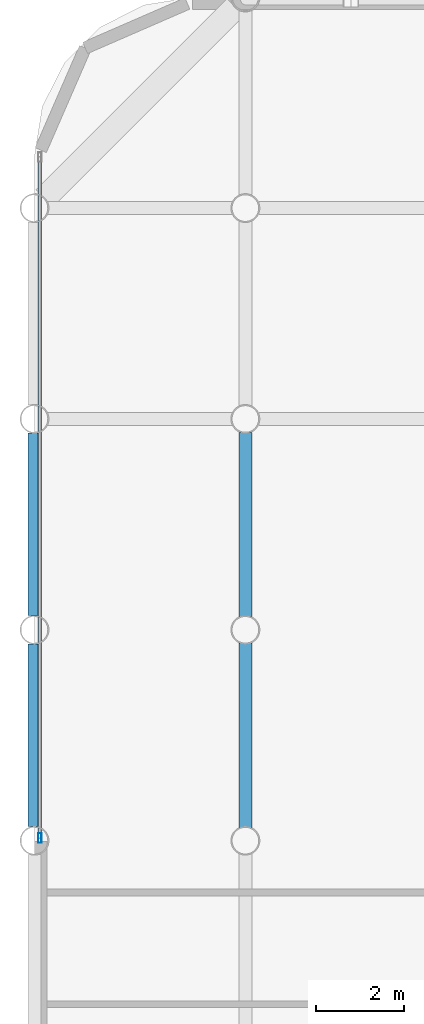
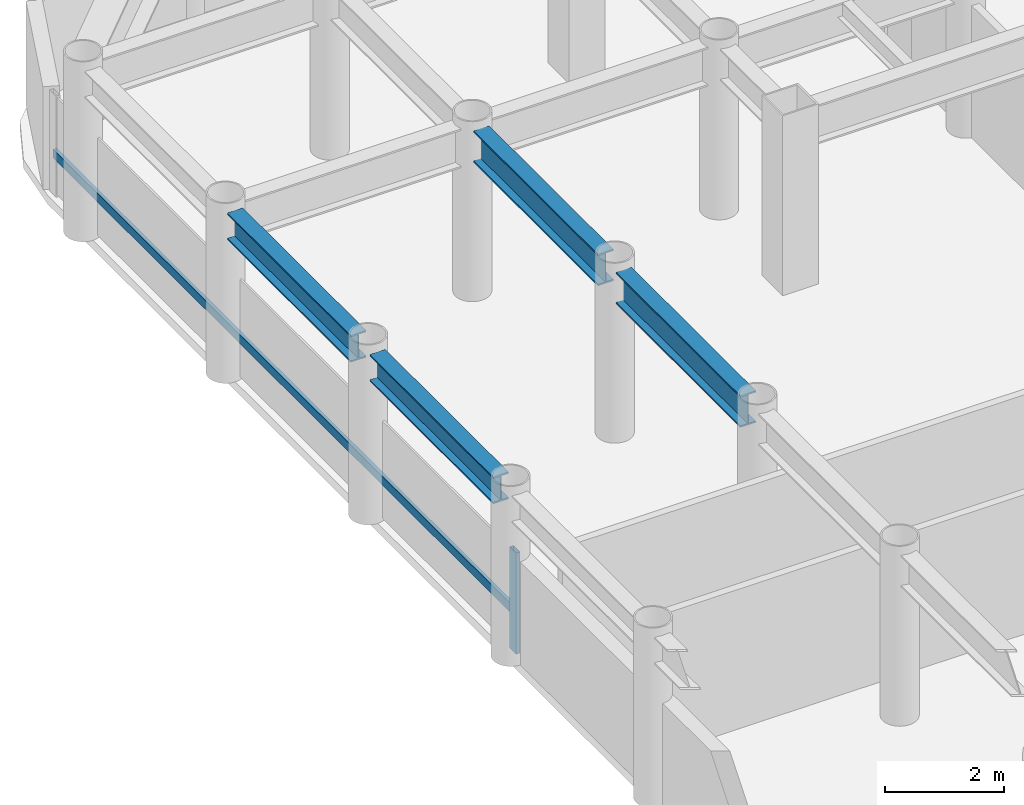
# One storey, part 4 of 19: 4 beams, 2 members, 1 element without a shape of its own.
"""IFC4 building model written with IfcOpenShell, lengths in metres."""

from ifc_helpers import new_model, si_unit, direction, frame, origin, origin_2d, place, context, subcontext, project, spatial, hollow_rectangle, i_section, extrude, material, layer, layer_set, material_profile, profile_set, type_object, element, aggregate, save


model = new_model("IFC4")

# Units and contexts
model_context = context("Model", 3, precision=1e-05, world=origin(), true_north=direction((0.0, 1.0)))
body_context = subcontext(model_context, "Body", "Model", "MODEL_VIEW")
ifc_project = project(units=[si_unit("LENGTHUNIT", "METRE"), si_unit("AREAUNIT", "SQUARE_METRE"), si_unit("VOLUMEUNIT", "CUBIC_METRE"), si_unit("PLANEANGLEUNIT", "RADIAN"), si_unit("MASSUNIT", "GRAM", prefix="KILO")], contexts=[model_context])

# Site, building, storey
site_placement = place(None, origin())
site = spatial("IfcSite", under=ifc_project, at=site_placement, CompositionType="ELEMENT")
building_placement = place(site_placement, origin())
building = spatial("IfcBuilding", under=site, at=building_placement, Name="Kallvorn Hotel Tower", CompositionType="ELEMENT")
storey_placement = place(building_placement, frame((0.0, 0.0, 169.199951171875)))
storey = spatial("IfcBuildingStorey", under=building, at=storey_placement, Name="L42", CompositionType="ELEMENT", Elevation=169.199951171875)

# Beams
ifc_material_1 = material(Name="Structural steel S355JR", Category="steel")
ifc_material_profile_1 = material_profile(ifc_material_1, i_section(OverallWidth=0.300048828125, OverallDepth=0.550048828125, WebThickness=0.014892578125, FlangeThickness=0.029052734375, at=origin_2d()), Name="HE 550 B")
ifc_profile_set_1 = profile_set([ifc_material_profile_1], Name="Structural steel S355JR")
beam_type_1 = type_object("IfcBeamType", Name="BM_HE550B", PredefinedType="SPANDREL", material=ifc_profile_set_1)
for number, where, z_axis, x_axis, name in (
    (1, (-33.60009765625, 0.320068359375, 3.2451171875), (0.0, 1.0, 0.0), (-1.0, 0.0, 0.0), "L43 Perimeter Spandrel 178"),
    (2, (-33.60009765625, 5.1201171875, 3.2451171875), (0.0, 1.0, 0.0), (-1.0, 0.0, 0.0), "L43 Perimeter Spandrel 179"),
):
    element("IfcBeam", number, at=place(storey_placement, frame(where, z_axis=z_axis, x_axis=x_axis)), inside=storey, type_object=beam_type_1, Name=name, PredefinedType="SPANDREL", context=body_context, shape_type="SweptSolid", body=[
        extrude(i_section(OverallWidth=0.300048828125, OverallDepth=0.550048828125, WebThickness=0.014892578125, FlangeThickness=0.029052734375, at=origin_2d()), origin(), (0.0, 0.0, 1.0), 4.159912109375),
    ])
ifc_material_2 = material(Name="Structural steel S355JR", Category="steel")
ifc_material_profile_2 = material_profile(ifc_material_2, i_section(OverallWidth=0.300048828125, OverallDepth=0.64990234375, WebThickness=0.01611328125, FlangeThickness=0.031005859375, at=origin_2d()), Name="HE 650 B")
ifc_profile_set_2 = profile_set([ifc_material_profile_2], Name="Structural steel S355JR")
beam_type_2 = type_object("IfcBeamType", Name="BM_HE650B", PredefinedType="BEAM", material=ifc_profile_set_2)
beam_1_placement = place(storey_placement, frame((-28.800048828125, 0.304931640625, 3.195068359375), z_axis=(0.0, 1.0, 0.0), x_axis=(-1.0, 0.0, 0.0)))
element("IfcBeam", 3, at=beam_1_placement, inside=storey, type_object=beam_type_2, Name="L43 Primary Y-Girder 78", PredefinedType="BEAM", context=body_context, shape_type="SweptSolid", body=[
    extrude(i_section(OverallWidth=0.300048828125, OverallDepth=0.64990234375, WebThickness=0.01611328125, FlangeThickness=0.031005859375, at=origin_2d()), origin(), (0.0, 0.0, 1.0), 4.190185546875),
])
beam_2_placement = place(storey_placement, frame((-28.800048828125, 5.10498046875, 3.195068359375), z_axis=(0.0, 1.0, 0.0), x_axis=(-1.0, 0.0, 0.0)))
element("IfcBeam", 4, at=beam_2_placement, inside=storey, type_object=beam_type_2, Name="L43 Primary Y-Girder 79", PredefinedType="BEAM", context=body_context, shape_type="SweptSolid", body=[
    extrude(i_section(OverallWidth=0.300048828125, OverallDepth=0.64990234375, WebThickness=0.01611328125, FlangeThickness=0.031005859375, at=origin_2d()), origin(), (0.0, 0.0, 1.0), 4.18994140625),
])

# Curtain wall, members
ifc_material_3 = material(Name="Thermally broken black-anodised aluminium AA 6063-T6", Category="aluminium")
ifc_layer = layer(ifc_material_3, 0.2099609375)
ifc_layer_set = layer_set([ifc_layer], Name="CW_SYS_4_HOTEL_MID")
curtain_wall_type = type_object("IfcCurtainWallType", Name="CW_SYS_4_HOTEL_MID", PredefinedType="USERDEFINED", material=ifc_layer_set)
curtain_wall_placement = place(storey_placement, origin())
curtain_wall = element("IfcCurtainWall", 5, at=curtain_wall_placement, inside=storey, type_object=curtain_wall_type, Name="L42 Dark-Glass Curtain Wall CW-L42-WN", ObjectType="UNITISED CURTAIN WALL", PredefinedType="USERDEFINED")
ifc_material_4 = material(Name="Thermally broken black-anodised aluminium AA 6063-T6", Category="aluminium")
ifc_material_profile_3 = material_profile(ifc_material_4, hollow_rectangle(XDim=0.080078125, YDim=0.219970703125, WallThickness=0.0048828125, at=origin_2d()), Name="MUL 220x80")
ifc_profile_set_3 = profile_set([ifc_material_profile_3], Name="Thermally broken black-anodised aluminium AA 6063-T6")
member_type_1 = type_object("IfcMemberType", Name="CW_MULLION_220x80", PredefinedType="MULLION", material=ifc_profile_set_3)
member_1_placement = place(storey_placement, frame((-33.47998046875, 0.06005859375, 0.02001953125), z_axis=(0.0, 0.0, 1.0), x_axis=(1.0, 0.0, 0.0)))
member_1 = element("IfcMember", 6, at=member_1_placement, type_object=member_type_1, Name="CW-L42-WN Mullion 00", PredefinedType="MULLION", context=body_context, shape_type="SweptSolid", body=[
    extrude(hollow_rectangle(XDim=0.080078125, YDim=0.219970703125, WallThickness=0.0048828125, at=origin_2d()), origin(), (0.0, 0.0, 1.0), 2.080078125),
])
ifc_material_5 = material(Name="Thermally broken black-anodised aluminium AA 6063-T6", Category="aluminium")
ifc_material_profile_4 = material_profile(ifc_material_5, hollow_rectangle(XDim=0.070068359375, YDim=0.179931640625, WallThickness=0.00390625, at=origin_2d()), Name="TRN 180x70")
ifc_profile_set_4 = profile_set([ifc_material_profile_4], Name="Thermally broken black-anodised aluminium AA 6063-T6")
member_type_2 = type_object("IfcMemberType", Name="CW_TRANSOM_180x70", PredefinedType="USERDEFINED", material=ifc_profile_set_4)
member_2_placement = place(storey_placement, frame((-33.47998046875, 0.06005859375, 0.85009765625), z_axis=(0.0, 1.0, 0.0), x_axis=(-1.0, 0.0, 0.0)))
member_2 = element("IfcMember", 7, at=member_2_placement, type_object=member_type_2, Name="CW-L42-WN Transom 00M", ObjectType="TRANSOM", PredefinedType="USERDEFINED", context=body_context, shape_type="SweptSolid", body=[
    extrude(hollow_rectangle(XDim=0.070068359375, YDim=0.179931640625, WallThickness=0.00390625, at=origin_2d()), origin(), (0.0, 0.0, 1.0), 15.5),
])
aggregate(curtain_wall, [member_1, member_2])

save(model, "model.ifc")
